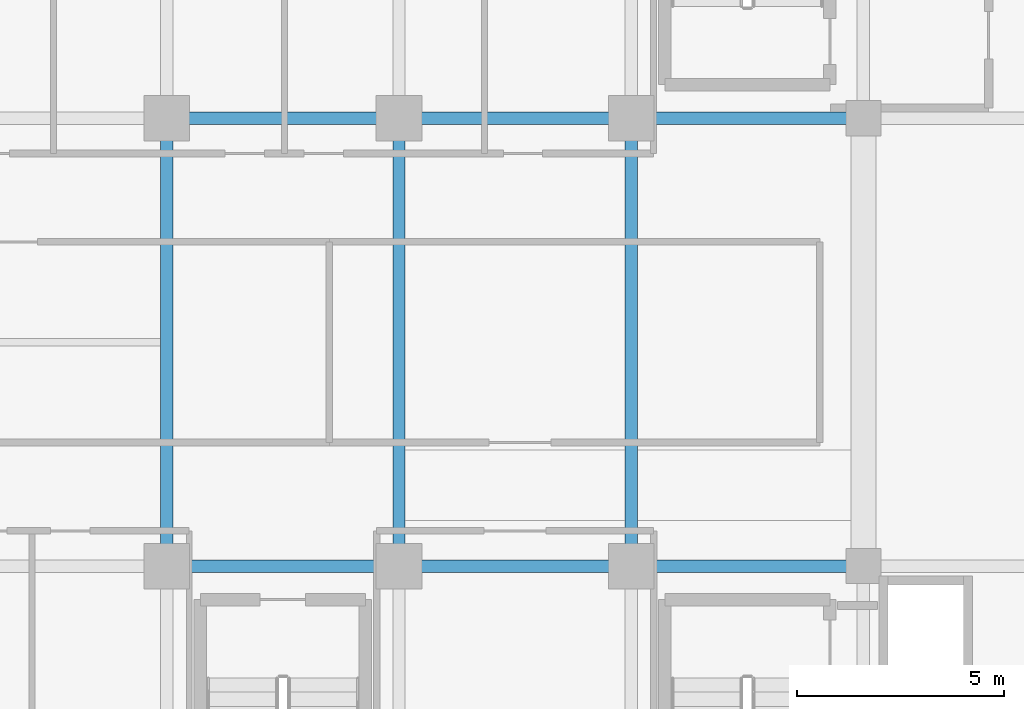
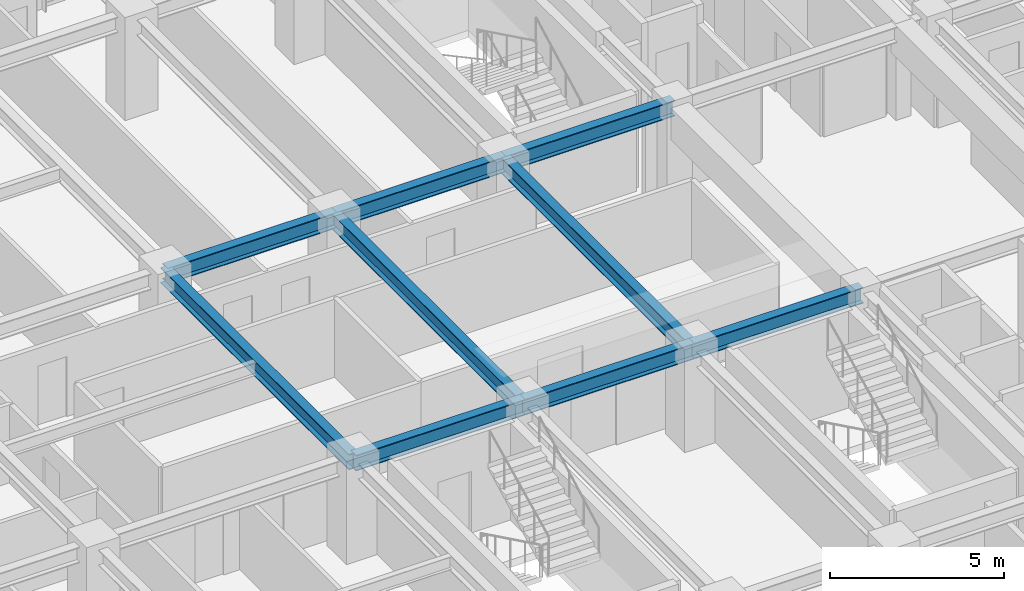
# One storey, part 9 of 32: 9 beams.
"""IFC4 building model written with IfcOpenShell, lengths in metres."""

from ifc_helpers import new_model, si_unit, direction, frame, origin, origin_2d, place, context, subcontext, project, spatial, i_section, extrude, source, transform, mapped, material, material_profile, profile_set, type_object, element, save


model = new_model("IFC4")

# Units and contexts
model_context = context("Model", 3, precision=1e-05, world=origin(), true_north=direction((0.0, 1.0)))
body_context = subcontext(model_context, "Body", "Model", "MODEL_VIEW")
ifc_project = project(units=[si_unit("LENGTHUNIT", "METRE"), si_unit("AREAUNIT", "SQUARE_METRE"), si_unit("VOLUMEUNIT", "CUBIC_METRE"), si_unit("PLANEANGLEUNIT", "RADIAN"), si_unit("MASSUNIT", "GRAM", prefix="KILO")], contexts=[model_context])

# Site, building, storey
site_placement = place(None, origin())
site = spatial("IfcSite", under=ifc_project, at=site_placement, CompositionType="ELEMENT")
building_placement = place(site_placement, origin())
building = spatial("IfcBuilding", under=site, at=building_placement, Name="Nahalor Promenade Grand Hotel", CompositionType="ELEMENT")
storey_placement = place(building_placement, frame((0.0, 0.0, 152.64990234375)))
storey = spatial("IfcBuildingStorey", under=building, at=storey_placement, Name="L38", CompositionType="ELEMENT", Elevation=152.64990234375)

# Beams
ifc_material = material(Name="Steel S355JR", Category="steel")
ifc_material_profile = material_profile(ifc_material, i_section(OverallWidth=0.3, OverallDepth=0.55, WebThickness=0.015, FlangeThickness=0.029, at=origin_2d()), Name="HEB 550")
ifc_profile_set = profile_set([ifc_material_profile], Name="Steel S355JR")
beam_type = type_object("IfcBeamType", Name="Beam-Girder-HEB550", PredefinedType="BEAM", material=ifc_profile_set)
shared_shape_1 = source(origin(), body_context, "Body", "SweptSolid", [
    extrude(i_section(OverallWidth=0.3, OverallDepth=0.55, WebThickness=0.015, FlangeThickness=0.029, at=origin_2d()), origin(), (0.0, 0.0, 1.0), 5.599853515625),
])
for number, where, z_axis, x_axis, name in (
    (1, (-8.39990234375, -5.39990234375, 3.114990234375), (1.0, 0.0, 0.0), (0.0, 1.0, 0.0), "BM-L38-GX-1-2"),
    (2, (2.800048828125, -5.39990234375, 3.114990234375), (1.0, 0.0, 0.0), (0.0, 1.0, 0.0), "BM-L38-GX-1-4"),
    (3, (-8.39990234375, 5.39990234375, 3.114990234375), (1.0, 0.0, 0.0), (0.0, 1.0, 0.0), "BM-L38-GX-2-2"),
    (4, (2.800048828125, 5.39990234375, 3.114990234375), (1.0, 0.0, 0.0), (0.0, 1.0, 0.0), "BM-L38-GX-2-4"),
):
    element("IfcBeam", number, at=place(storey_placement, frame(where, z_axis=z_axis, x_axis=x_axis)), inside=storey, type_object=beam_type, Name=name, PredefinedType="BEAM", context=body_context, shape_type="MappedRepresentation", body=[
        mapped(shared_shape_1, transform((0.0, 0.0, 0.0), scale=1.0)),
    ])
shared_shape_2 = source(origin(), body_context, "Body", "SweptSolid", [
    extrude(i_section(OverallWidth=0.3, OverallDepth=0.55, WebThickness=0.015, FlangeThickness=0.029, at=origin_2d()), origin(), (0.0, 0.0, 1.0), 5.60009765625),
])
for number, where, z_axis, x_axis, name in (
    (5, (-2.800048828125, -5.39990234375, 3.114990234375), (1.0, 0.0, 0.0), (0.0, 1.0, 0.0), "BM-L38-GX-1-3"),
    (6, (-2.800048828125, 5.39990234375, 3.114990234375), (1.0, 0.0, 0.0), (0.0, 1.0, 0.0), "BM-L38-GX-2-3"),
):
    element("IfcBeam", number, at=place(storey_placement, frame(where, z_axis=z_axis, x_axis=x_axis)), inside=storey, type_object=beam_type, Name=name, PredefinedType="BEAM", context=body_context, shape_type="MappedRepresentation", body=[
        mapped(shared_shape_2, transform((0.0, 0.0, 0.0), scale=1.0)),
    ])
shared_shape_3 = source(origin(), body_context, "Body", "SweptSolid", [
    extrude(i_section(OverallWidth=0.3, OverallDepth=0.55, WebThickness=0.015, FlangeThickness=0.029, at=origin_2d()), origin(), (0.0, 0.0, 1.0), 10.7998046875),
])
for number, where, z_axis, x_axis, name in (
    (7, (-8.39990234375, -5.39990234375, 3.114990234375), (0.0, 1.0, 0.0), (-1.0, 0.0, 0.0), "BM-L38-GY-1-2"),
    (8, (-2.800048828125, -5.39990234375, 3.114990234375), (0.0, 1.0, 0.0), (-1.0, 0.0, 0.0), "BM-L38-GY-2-2"),
    (9, (2.800048828125, -5.39990234375, 3.114990234375), (0.0, 1.0, 0.0), (-1.0, 0.0, 0.0), "BM-L38-GY-3-2"),
):
    element("IfcBeam", number, at=place(storey_placement, frame(where, z_axis=z_axis, x_axis=x_axis)), inside=storey, type_object=beam_type, Name=name, PredefinedType="BEAM", context=body_context, shape_type="MappedRepresentation", body=[
        mapped(shared_shape_3, transform((0.0, 0.0, 0.0), scale=1.0)),
    ])

save(model, "model.ifc")
